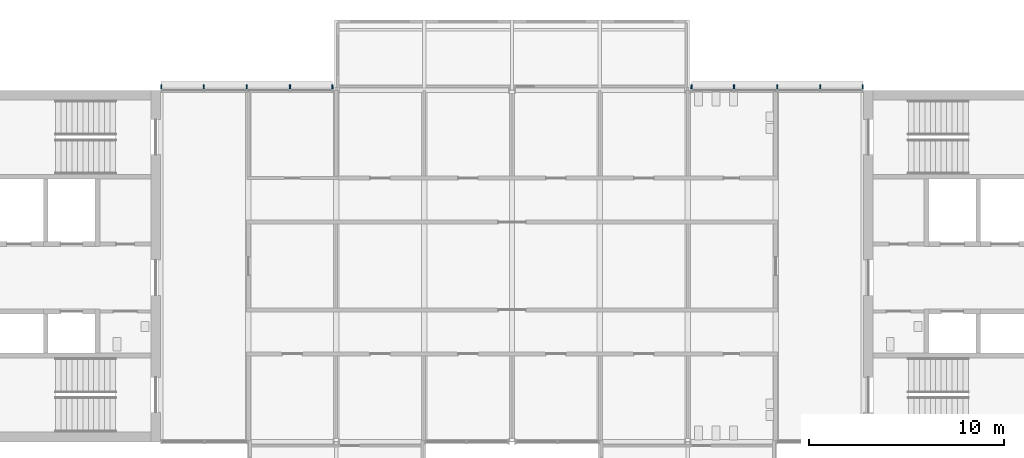
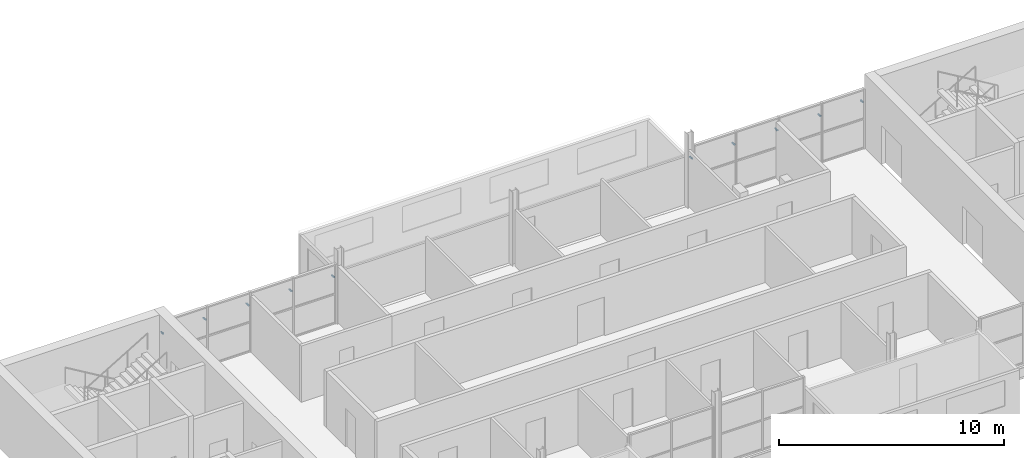
# One storey, part 8 of 10: 10 discrete accessories.
"""IFC4 building model written with IfcOpenShell, lengths in metres."""

from ifc_helpers import new_model, si_unit, direction, frame, origin, origin_2d, place, context, subcontext, project, spatial, rectangle, extrude, material, type_object, element, save


model = new_model("IFC4")

# Units and contexts
model_context = context("Model", 3, precision=1e-05, world=origin(), true_north=direction((0.0, 1.0)))
body_context = subcontext(model_context, "Body", "Model", "MODEL_VIEW")
ifc_project = project(units=[si_unit("LENGTHUNIT", "METRE"), si_unit("AREAUNIT", "SQUARE_METRE"), si_unit("VOLUMEUNIT", "CUBIC_METRE"), si_unit("PLANEANGLEUNIT", "RADIAN"), si_unit("MASSUNIT", "GRAM", prefix="KILO")], contexts=[model_context])

# Site, building, storey
site_placement = place(None, origin())
site = spatial("IfcSite", under=ifc_project, at=site_placement, CompositionType="ELEMENT")
building_placement = place(site_placement, origin())
building = spatial("IfcBuilding", under=site, at=building_placement, Name="Corbel Yard City Hall", CompositionType="ELEMENT")
storey_placement = place(building_placement, frame((0.0, 0.0, 59.199951171875)))
storey = spatial("IfcBuildingStorey", under=building, at=storey_placement, Name="L14", CompositionType="ELEMENT", Elevation=59.199951171875)

# Discrete accessories
ifc_material = material(Name="Steel Grade 300 (300 MPa yield)", Category="steel")
discrete_accessory_type = type_object("IfcDiscreteAccessoryType", Name="BK1", PredefinedType="BRACKET", material=ifc_material)
for number, where, z_axis, x_axis, name in (
    (1, (9.032470703125, 117.18994140625, 2.3984375), (0.0, 0.0, 1.0), (1.0, 0.0, 0.0), "Louvre bracket"),
    (2, (11.209228515625, 117.18994140625, 2.3984375), (0.0, 0.0, 1.0), (1.0, 0.0, 0.0), "Louvre bracket"),
    (3, (13.418212890625, 117.18994140625, 2.3984375), (0.0, 0.0, 1.0), (1.0, 0.0, 0.0), "Louvre bracket"),
    (4, (15.62744140625, 117.18994140625, 2.3984375), (0.0, 0.0, 1.0), (1.0, 0.0, 0.0), "Louvre bracket"),
    (5, (17.803955078125, 117.18994140625, 2.3984375), (0.0, 0.0, 1.0), (1.0, 0.0, 0.0), "Louvre bracket"),
    (6, (36.196044921875, 117.18994140625, 2.3984375), (0.0, 0.0, 1.0), (1.0, 0.0, 0.0), "Louvre bracket"),
    (7, (38.37255859375, 117.18994140625, 2.3984375), (0.0, 0.0, 1.0), (1.0, 0.0, 0.0), "Louvre bracket"),
    (8, (40.581787109375, 117.18994140625, 2.3984375), (0.0, 0.0, 1.0), (1.0, 0.0, 0.0), "Louvre bracket"),
    (9, (42.790771484375, 117.18994140625, 2.3984375), (0.0, 0.0, 1.0), (1.0, 0.0, 0.0), "Louvre bracket"),
    (10, (44.967529296875, 117.18994140625, 2.3984375), (0.0, 0.0, 1.0), (1.0, 0.0, 0.0), "Louvre bracket"),
):
    element("IfcDiscreteAccessory", number, at=place(storey_placement, frame(where, z_axis=z_axis, x_axis=x_axis)), inside=storey, type_object=discrete_accessory_type, Name=name, PredefinedType="BRACKET", context=body_context, shape_type="SweptSolid", body=[
        extrude(rectangle(XDim=0.06005859375, YDim=0.199951171875, at=origin_2d()), origin(), (0.0, 0.0, 1.0), 0.06005859375),
    ])

save(model, "model.ifc")
